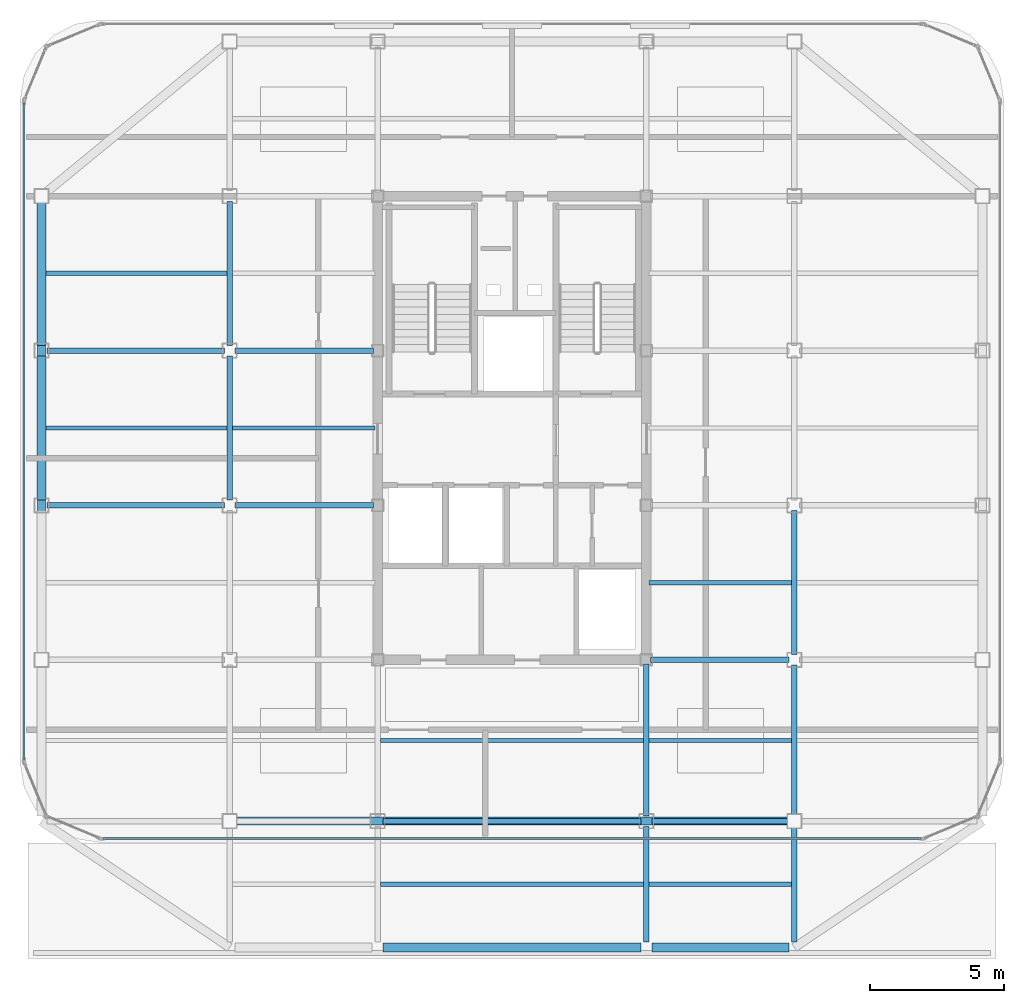
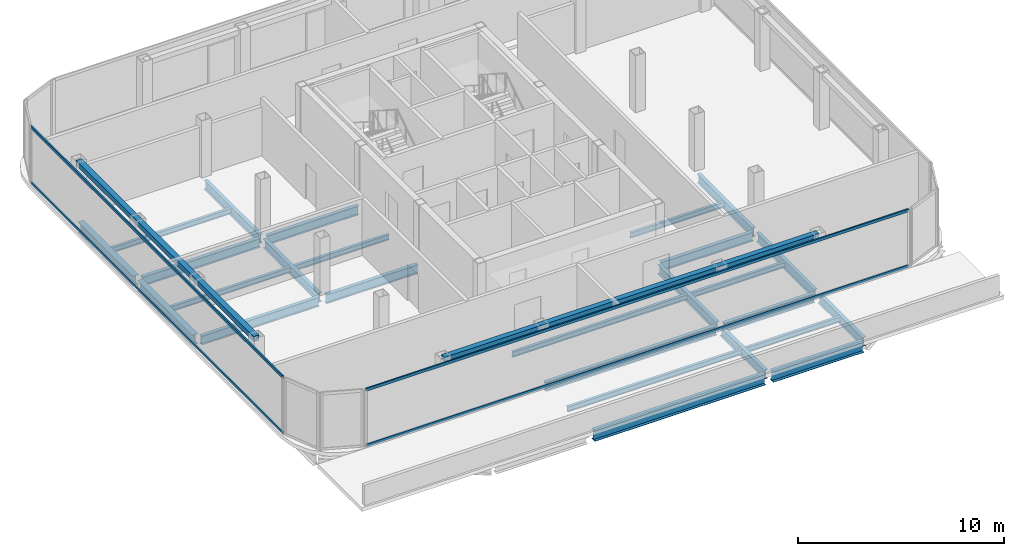
# One storey, part 3 of 15: 26 beams, 6 members, 2 elements without a shape of their own.
"""IFC4 building model written with IfcOpenShell, lengths in metres."""

from ifc_helpers import new_model, si_unit, direction, frame, origin, origin_2d, place, context, subcontext, project, spatial, hollow_rectangle, i_section, extrude, source, transform, mapped, material, layer, layer_set, material_profile, profile_set, type_object, element, aggregate, save


model = new_model("IFC4")

# Units and contexts
model_context = context("Model", 3, precision=1e-05, world=origin(), true_north=direction((0.0, 1.0)))
body_context = subcontext(model_context, "Body", "Model", "MODEL_VIEW")
ifc_project = project(units=[si_unit("LENGTHUNIT", "METRE"), si_unit("AREAUNIT", "SQUARE_METRE"), si_unit("VOLUMEUNIT", "CUBIC_METRE"), si_unit("PLANEANGLEUNIT", "RADIAN"), si_unit("MASSUNIT", "GRAM", prefix="KILO")], contexts=[model_context])

# Site, building, storey
site_placement = place(None, origin())
site = spatial("IfcSite", under=ifc_project, at=site_placement, CompositionType="ELEMENT")
building_placement = place(site_placement, origin())
building = spatial("IfcBuilding", under=site, at=building_placement, Name="Kolveth Station Tower", CompositionType="ELEMENT")
storey_placement = place(building_placement, frame((0.0, 0.0, 271.300048828125)))
storey = spatial("IfcBuildingStorey", under=building, at=storey_placement, Name="L78", CompositionType="ELEMENT", Elevation=271.300048828125)

# Beams
ifc_material_1 = material(Name="Steel S355", Category="steel")
ifc_material_profile_1 = material_profile(ifc_material_1, i_section(OverallWidth=0.323974609375, OverallDepth=0.611083984375, WebThickness=0.0126953125, FlangeThickness=0.01904296875, at=origin_2d()), Name="W610x155")
ifc_profile_set_1 = profile_set([ifc_material_profile_1], Name="Steel S355")
beam_type_1 = type_object("IfcBeamType", Name="Beam_SP2", PredefinedType="SPANDREL", material=ifc_profile_set_1)
shared_shape_1 = source(origin(), body_context, "Body", "SweptSolid", [
    extrude(i_section(OverallWidth=0.323974609375, OverallDepth=0.611083984375, WebThickness=0.0126953125, FlangeThickness=0.01904296875, at=origin_2d()), origin(), (0.0, 0.0, 1.0), 5.10009765625),
])
beam_1_placement = place(storey_placement, frame((28.699951171875, 0.800048828125, -0.525634765625), z_axis=(1.0, 0.0, 0.0), x_axis=(0.0, 1.0, 0.0)))
element("IfcBeam", 1, at=beam_1_placement, inside=storey, type_object=beam_type_1, Name="L78 Perimeter Spandrel BM-L78-PS-3", PredefinedType="SPANDREL", context=body_context, shape_type="MappedRepresentation", body=[
    mapped(shared_shape_1, transform((0.0, 0.0, 0.0), x_axis=(1.0, 0.0, 0.0), y_axis=(0.0, 1.0, 0.0), z_axis=(0.0, 0.0, 1.0), scale=1.0)),
])
shared_shape_2 = source(origin(), body_context, "Body", "SweptSolid", [
    extrude(i_section(OverallWidth=0.323974609375, OverallDepth=0.611083984375, WebThickness=0.0126953125, FlangeThickness=0.01904296875, at=origin_2d()), origin(), (0.0, 0.0, 1.0), 9.60009765625),
])
beam_2_placement = place(storey_placement, frame((18.699951171875, 0.800048828125, -0.525634765625), z_axis=(1.0, 0.0, 0.0), x_axis=(0.0, 1.0, 0.0)))
element("IfcBeam", 2, at=beam_2_placement, inside=storey, type_object=beam_type_1, Name="L78 Perimeter Spandrel BM-L78-PS-2", PredefinedType="SPANDREL", context=body_context, shape_type="MappedRepresentation", body=[
    mapped(shared_shape_2, transform((0.0, 0.0, 0.0), x_axis=(1.0, 0.0, 0.0), y_axis=(0.0, 1.0, 0.0), z_axis=(0.0, 0.0, 1.0), scale=1.0)),
])
shared_shape_3 = source(origin(), body_context, "Body", "SweptSolid", [
    extrude(i_section(OverallWidth=0.323974609375, OverallDepth=0.611083984375, WebThickness=0.0126953125, FlangeThickness=0.01904296875, at=origin_2d()), origin(), (0.0, 0.0, 1.0), 5.35009765625),
])
for number, where, z_axis, x_axis, name in (
    (3, (6.0, 17.449951171875, -0.525634765625), (0.0, 1.0, 0.0), (-1.0, 0.0, 0.0), "L78 Perimeter Spandrel BM-L78-PW-3"),
    (4, (6.0, 23.199951171875, -0.525634765625), (0.0, 1.0, 0.0), (-1.0, 0.0, 0.0), "L78 Perimeter Spandrel BM-L78-PW-4"),
):
    element("IfcBeam", number, at=place(storey_placement, frame(where, z_axis=z_axis, x_axis=x_axis)), inside=storey, type_object=beam_type_1, Name=name, PredefinedType="SPANDREL", context=body_context, shape_type="MappedRepresentation", body=[
        mapped(shared_shape_3, transform((0.0, 0.0, 0.0), x_axis=(1.0, 0.0, 0.0), y_axis=(0.0, 1.0, 0.0), z_axis=(0.0, 0.0, 1.0), scale=1.0)),
    ])
ifc_material_profile_2 = material_profile(ifc_material_1, i_section(OverallWidth=0.2099609375, OverallDepth=0.537109375, WebThickness=0.010986328125, FlangeThickness=0.017333984375, at=origin_2d()), Name="W530x101")
ifc_profile_set_2 = profile_set([ifc_material_profile_2], Name="Steel S355")
beam_type_2 = type_object("IfcBeamType", Name="Beam_B6", PredefinedType="BEAM", material=ifc_profile_set_2)
shared_shape_4 = source(origin(), body_context, "Body", "SweptSolid", [
    extrude(i_section(OverallWidth=0.2099609375, OverallDepth=0.537109375, WebThickness=0.010986328125, FlangeThickness=0.017333984375, at=origin_2d()), origin(), (0.0, 0.0, 1.0), 6.60009765625),
])
for number, where, z_axis, x_axis, name in (
    (5, (6.199951171875, 17.25, -0.488525390625), (1.0, 0.0, 0.0), (0.0, 1.0, 0.0), "L78 Primary Girder BM-L78-GY172-1"),
    (6, (6.199951171875, 23.0, -0.488525390625), (1.0, 0.0, 0.0), (0.0, 1.0, 0.0), "L78 Primary Girder BM-L78-GY230-1"),
):
    element("IfcBeam", number, at=place(storey_placement, frame(where, z_axis=z_axis, x_axis=x_axis)), inside=storey, type_object=beam_type_2, Name=name, PredefinedType="BEAM", context=body_context, shape_type="MappedRepresentation", body=[
        mapped(shared_shape_4, transform((0.0, 0.0, 0.0), x_axis=(1.0, 0.0, 0.0), y_axis=(0.0, 1.0, 0.0), z_axis=(0.0, 0.0, 1.0), scale=1.0)),
    ])
shared_shape_5 = source(origin(), body_context, "Body", "SweptSolid", [
    extrude(i_section(OverallWidth=0.2099609375, OverallDepth=0.537109375, WebThickness=0.010986328125, FlangeThickness=0.017333984375, at=origin_2d()), origin(), (0.0, 0.0, 1.0), 5.10009765625),
])
beam_3_placement = place(storey_placement, frame((28.699951171875, 5.5, -0.488525390625), z_axis=(1.0, 0.0, 0.0), x_axis=(0.0, 1.0, 0.0)))
element("IfcBeam", 7, at=beam_3_placement, inside=storey, type_object=beam_type_2, Name="L78 Primary Girder BM-L78-GY55-4", PredefinedType="BEAM", context=body_context, shape_type="MappedRepresentation", body=[
    mapped(shared_shape_5, transform((0.0, 0.0, 0.0), x_axis=(1.0, 0.0, 0.0), y_axis=(0.0, 1.0, 0.0), z_axis=(0.0, 0.0, 1.0), scale=1.0)),
])
shared_shape_6 = source(origin(), body_context, "Body", "SweptSolid", [
    extrude(i_section(OverallWidth=0.2099609375, OverallDepth=0.537109375, WebThickness=0.010986328125, FlangeThickness=0.017333984375, at=origin_2d()), origin(), (0.0, 0.0, 1.0), 9.60009765625),
])
beam_4_placement = place(storey_placement, frame((18.699951171875, 5.5, -0.488525390625), z_axis=(1.0, 0.0, 0.0), x_axis=(0.0, 1.0, 0.0)))
element("IfcBeam", 8, at=beam_4_placement, inside=storey, type_object=beam_type_2, Name="L78 Primary Girder BM-L78-GY55-3", PredefinedType="BEAM", context=body_context, shape_type="MappedRepresentation", body=[
    mapped(shared_shape_6, transform((0.0, 0.0, 0.0), x_axis=(1.0, 0.0, 0.0), y_axis=(0.0, 1.0, 0.0), z_axis=(0.0, 0.0, 1.0), scale=1.0)),
])
shared_shape_7 = source(origin(), body_context, "Body", "SweptSolid", [
    extrude(i_section(OverallWidth=0.2099609375, OverallDepth=0.537109375, WebThickness=0.010986328125, FlangeThickness=0.017333984375, at=origin_2d()), origin(), (0.0, 0.0, 1.0), 5.14013671875),
])
for number, where, z_axis, x_axis, name in (
    (9, (28.659912109375, 11.5, -0.488525390625), (1.0, 0.0, 0.0), (0.0, 1.0, 0.0), "L78 Primary Girder BM-L78-GY115-4"),
    (10, (13.199951171875, 17.25, -0.488525390625), (1.0, 0.0, 0.0), (0.0, 1.0, 0.0), "L78 Primary Girder BM-L78-GY172-2"),
    (11, (13.199951171875, 23.0, -0.488525390625), (1.0, 0.0, 0.0), (0.0, 1.0, 0.0), "L78 Primary Girder BM-L78-GY230-2"),
):
    element("IfcBeam", number, at=place(storey_placement, frame(where, z_axis=z_axis, x_axis=x_axis)), inside=storey, type_object=beam_type_2, Name=name, PredefinedType="BEAM", context=body_context, shape_type="MappedRepresentation", body=[
        mapped(shared_shape_7, transform((0.0, 0.0, 0.0), x_axis=(1.0, 0.0, 0.0), y_axis=(0.0, 1.0, 0.0), z_axis=(0.0, 0.0, 1.0), scale=1.0)),
    ])
shared_shape_8 = source(origin(), body_context, "Body", "SweptSolid", [
    extrude(i_section(OverallWidth=0.2099609375, OverallDepth=0.537109375, WebThickness=0.010986328125, FlangeThickness=0.017333984375, at=origin_2d()), origin(), (0.0, 0.0, 1.0), 4.300048828125),
])
for number, where, z_axis, x_axis, name in (
    (12, (28.5, 1.0, -0.488525390625), (0.0, 1.0, 0.0), (-1.0, 0.0, 0.0), "L78 Primary Girder BM-L78-GX285-1"),
    (13, (34.0, 1.0, -0.488525390625), (0.0, 1.0, 0.0), (-1.0, 0.0, 0.0), "L78 Primary Girder BM-L78-GX340-1"),
):
    element("IfcBeam", number, at=place(storey_placement, frame(where, z_axis=z_axis, x_axis=x_axis)), inside=storey, type_object=beam_type_2, Name=name, PredefinedType="BEAM", context=body_context, shape_type="MappedRepresentation", body=[
        mapped(shared_shape_8, transform((0.0, 0.0, 0.0), x_axis=(1.0, 0.0, 0.0), y_axis=(0.0, 1.0, 0.0), z_axis=(0.0, 0.0, 1.0), scale=1.0)),
    ])
shared_shape_9 = source(origin(), body_context, "Body", "SweptSolid", [
    extrude(i_section(OverallWidth=0.2099609375, OverallDepth=0.537109375, WebThickness=0.010986328125, FlangeThickness=0.017333984375, at=origin_2d()), origin(), (0.0, 0.0, 1.0), 5.60009765625),
])
beam_5_placement = place(storey_placement, frame((34.0, 5.699951171875, -0.488525390625), z_axis=(0.0, 1.0, 0.0), x_axis=(-1.0, 0.0, 0.0)))
element("IfcBeam", 14, at=beam_5_placement, inside=storey, type_object=beam_type_2, Name="L78 Primary Girder BM-L78-GX340-2", PredefinedType="BEAM", context=body_context, shape_type="MappedRepresentation", body=[
    mapped(shared_shape_9, transform((0.0, 0.0, 0.0), x_axis=(1.0, 0.0, 0.0), y_axis=(0.0, 1.0, 0.0), z_axis=(0.0, 0.0, 1.0), scale=1.0)),
])
shared_shape_10 = source(origin(), body_context, "Body", "SweptSolid", [
    extrude(i_section(OverallWidth=0.2099609375, OverallDepth=0.537109375, WebThickness=0.010986328125, FlangeThickness=0.017333984375, at=origin_2d()), origin(), (0.0, 0.0, 1.0), 5.35009765625),
])
for number, where, z_axis, x_axis, name in (
    (15, (13.0, 17.449951171875, -0.488525390625), (0.0, 1.0, 0.0), (-1.0, 0.0, 0.0), "L78 Primary Girder BM-L78-GX130-4"),
    (16, (13.0, 23.199951171875, -0.488525390625), (0.0, 1.0, 0.0), (-1.0, 0.0, 0.0), "L78 Primary Girder BM-L78-GX130-5"),
    (17, (34.0, 11.699951171875, -0.488525390625), (0.0, 1.0, 0.0), (-1.0, 0.0, 0.0), "L78 Primary Girder BM-L78-GX340-3"),
):
    element("IfcBeam", number, at=place(storey_placement, frame(where, z_axis=z_axis, x_axis=x_axis)), inside=storey, type_object=beam_type_2, Name=name, PredefinedType="BEAM", context=body_context, shape_type="MappedRepresentation", body=[
        mapped(shared_shape_10, transform((0.0, 0.0, 0.0), x_axis=(1.0, 0.0, 0.0), y_axis=(0.0, 1.0, 0.0), z_axis=(0.0, 0.0, 1.0), scale=1.0)),
    ])
shared_shape_11 = source(origin(), body_context, "Body", "SweptSolid", [
    extrude(i_section(OverallWidth=0.2099609375, OverallDepth=0.537109375, WebThickness=0.010986328125, FlangeThickness=0.017333984375, at=origin_2d()), origin(), (0.0, 0.0, 1.0), 5.64013671875),
])
beam_6_placement = place(storey_placement, frame((28.5, 5.699951171875, -0.488525390625), z_axis=(0.0, 1.0, 0.0), x_axis=(-1.0, 0.0, 0.0)))
element("IfcBeam", 18, at=beam_6_placement, inside=storey, type_object=beam_type_2, Name="L78 Primary Girder BM-L78-GX285-2", PredefinedType="BEAM", context=body_context, shape_type="MappedRepresentation", body=[
    mapped(shared_shape_11, transform((0.0, 0.0, 0.0), x_axis=(1.0, 0.0, 0.0), y_axis=(0.0, 1.0, 0.0), z_axis=(0.0, 0.0, 1.0), scale=1.0)),
])
ifc_material_profile_3 = material_profile(ifc_material_1, i_section(OverallWidth=0.1650390625, OverallDepth=0.31005859375, WebThickness=0.005859375, FlangeThickness=0.009765625, at=origin_2d()), Name="W310x39")
ifc_profile_set_3 = profile_set([ifc_material_profile_3], Name="Steel S355")
beam_type_3 = type_object("IfcBeamType", Name="Beam_J3", PredefinedType="JOIST", material=ifc_profile_set_3)
shared_shape_12 = source(origin(), body_context, "Body", "SweptSolid", [
    extrude(i_section(OverallWidth=0.1650390625, OverallDepth=0.31005859375, WebThickness=0.005859375, FlangeThickness=0.009765625, at=origin_2d()), origin(), (0.0, 0.0, 1.0), 6.737060546875),
])
for number, where, z_axis, x_axis, name in (
    (19, (6.159912109375, 20.125, -0.375), (1.0, 0.0, 0.0), (0.0, 1.0, 0.0), "L78 Secondary Joist JST-L78-1-4"),
    (20, (6.159912109375, 25.875, -0.375), (1.0, 0.0, 0.0), (0.0, 1.0, 0.0), "L78 Secondary Joist JST-L78-1-5"),
):
    element("IfcBeam", number, at=place(storey_placement, frame(where, z_axis=z_axis, x_axis=x_axis)), inside=storey, type_object=beam_type_3, Name=name, PredefinedType="JOIST", context=body_context, shape_type="MappedRepresentation", body=[
        mapped(shared_shape_12, transform((0.0, 0.0, 0.0), x_axis=(1.0, 0.0, 0.0), y_axis=(0.0, 1.0, 0.0), z_axis=(0.0, 0.0, 1.0), scale=1.0)),
    ])
shared_shape_13 = source(origin(), body_context, "Body", "SweptSolid", [
    extrude(i_section(OverallWidth=0.1650390625, OverallDepth=0.31005859375, WebThickness=0.005859375, FlangeThickness=0.009765625, at=origin_2d()), origin(), (0.0, 0.0, 1.0), 5.2939453125),
])
for number, where, z_axis, x_axis, name in (
    (21, (13.10302734375, 20.125, -0.375), (1.0, 0.0, 0.0), (0.0, 1.0, 0.0), "L78 Secondary Joist JST-L78-2-4"),
    (22, (28.60302734375, 3.14990234375, -0.375), (1.0, 0.0, 0.0), (0.0, 1.0, 0.0), "L78 Secondary Joist JST-L78-4-1"),
    (23, (28.60302734375, 8.5, -0.375), (1.0, 0.0, 0.0), (0.0, 1.0, 0.0), "L78 Secondary Joist JST-L78-4-2"),
    (24, (28.60302734375, 14.375, -0.375), (1.0, 0.0, 0.0), (0.0, 1.0, 0.0), "L78 Secondary Joist JST-L78-4-3"),
):
    element("IfcBeam", number, at=place(storey_placement, frame(where, z_axis=z_axis, x_axis=x_axis)), inside=storey, type_object=beam_type_3, Name=name, PredefinedType="JOIST", context=body_context, shape_type="MappedRepresentation", body=[
        mapped(shared_shape_13, transform((0.0, 0.0, 0.0), x_axis=(1.0, 0.0, 0.0), y_axis=(0.0, 1.0, 0.0), z_axis=(0.0, 0.0, 1.0), scale=1.0)),
    ])
shared_shape_14 = source(origin(), body_context, "Body", "SweptSolid", [
    extrude(i_section(OverallWidth=0.1650390625, OverallDepth=0.31005859375, WebThickness=0.005859375, FlangeThickness=0.009765625, at=origin_2d()), origin(), (0.0, 0.0, 1.0), 9.7939453125),
])
for number, where, z_axis, x_axis, name in (
    (25, (18.60302734375, 3.14990234375, -0.375), (1.0, 0.0, 0.0), (0.0, 1.0, 0.0), "L78 Secondary Joist JST-L78-3-1"),
    (26, (18.60302734375, 8.5, -0.375), (1.0, 0.0, 0.0), (0.0, 1.0, 0.0), "L78 Secondary Joist JST-L78-3-2"),
):
    element("IfcBeam", number, at=place(storey_placement, frame(where, z_axis=z_axis, x_axis=x_axis)), inside=storey, type_object=beam_type_3, Name=name, PredefinedType="JOIST", context=body_context, shape_type="MappedRepresentation", body=[
        mapped(shared_shape_14, transform((0.0, 0.0, 0.0), x_axis=(1.0, 0.0, 0.0), y_axis=(0.0, 1.0, 0.0), z_axis=(0.0, 0.0, 1.0), scale=1.0)),
    ])

# Members
ifc_material_profile_4 = material_profile(ifc_material_1, hollow_rectangle(XDim=0.300048828125, YDim=0.300048828125, WallThickness=0.01611328125, at=origin_2d()), Name="CROWN-HSS300x300x16")
ifc_profile_set_4 = profile_set([ifc_material_profile_4], Name="Steel S355")
member_type_1 = type_object("IfcMemberType", Name="Mem_CF1", PredefinedType="CHORD", material=ifc_profile_set_4)
shared_shape_15 = source(origin(), body_context, "Body", "SweptSolid", [
    extrude(hollow_rectangle(XDim=0.300048828125, YDim=0.300048828125, WallThickness=0.01611328125, at=origin_2d()), origin(), (0.0, 0.0, 1.0), 21.0),
])
member_1_placement = place(storey_placement, frame((13.0, 5.5, 3.14990234375), z_axis=(1.0, 0.0, 0.0), x_axis=(0.0, 1.0, 0.0)))
element("IfcMember", 27, at=member_1_placement, inside=storey, type_object=member_type_1, Name="L78 Crown Frame Ring Chord 1", PredefinedType="CHORD", context=body_context, shape_type="MappedRepresentation", body=[
    mapped(shared_shape_15, transform((0.0, 0.0, 0.0), x_axis=(1.0, 0.0, 0.0), y_axis=(0.0, 1.0, 0.0), z_axis=(0.0, 0.0, 1.0), scale=1.0)),
])
shared_shape_16 = source(origin(), body_context, "Body", "SweptSolid", [
    extrude(hollow_rectangle(XDim=0.300048828125, YDim=0.300048828125, WallThickness=0.01611328125, at=origin_2d()), origin(), (0.0, 0.0, 1.0), 17.25),
])
member_2_placement = place(storey_placement, frame((6.0, 11.5, 3.14990234375), z_axis=(0.0, 1.0, 0.0), x_axis=(-1.0, 0.0, 0.0)))
element("IfcMember", 28, at=member_2_placement, inside=storey, type_object=member_type_1, Name="L78 Crown Frame Ring Chord 3", PredefinedType="CHORD", context=body_context, shape_type="MappedRepresentation", body=[
    mapped(shared_shape_16, transform((0.0, 0.0, 0.0), x_axis=(1.0, 0.0, 0.0), y_axis=(0.0, 1.0, 0.0), z_axis=(0.0, 0.0, 1.0), scale=1.0)),
])

# Curtain wall, members
ifc_material_2 = material(Name="Black anodized aluminium 6063-T6 and dark crown glass", Category="aluminium")
ifc_layer = layer(ifc_material_2, 0.169921875)
ifc_layer_set = layer_set([ifc_layer], Name="Black anodized aluminium 6063-T6 and dark crown glass")
curtain_wall_type = type_object("IfcCurtainWallType", Name="CurtainWall_CW-CR", PredefinedType="NOTDEFINED", material=ifc_layer_set)
curtain_wall_1_placement = place(storey_placement, origin())
curtain_wall_1 = element("IfcCurtainWall", 29, at=curtain_wall_1_placement, inside=storey, type_object=curtain_wall_type, Name="L78 Stepped Crown Curtain Wall 9", PredefinedType="NOTDEFINED")
ifc_material_3 = material(Name="Black anodized aluminium 6063-T6", Category="aluminium")
ifc_material_profile_5 = material_profile(ifc_material_3, hollow_rectangle(XDim=0.080078125, YDim=0.1650390625, WallThickness=0.0048828125, at=origin_2d()), Name="ALU-80x165x5")
ifc_profile_set_5 = profile_set([ifc_material_profile_5], Name="Black anodized aluminium 6063-T6")
member_type_2 = type_object("IfcMemberType", Name="Transom_TR-CR", PredefinedType="USERDEFINED", material=ifc_profile_set_5)
shared_shape_17 = source(origin(), body_context, "Body", "SweptSolid", [
    extrude(hollow_rectangle(XDim=0.080078125, YDim=0.1650390625, WallThickness=0.0048828125, at=origin_2d()), origin(), (0.0, 0.0, 1.0), 24.43017578125),
])
member_3_placement = place(storey_placement, frame((5.35009765625, 32.215087890625, 0.0400390625), z_axis=(0.0, -1.0, 0.0), x_axis=(1.0, 0.0, 0.0)))
member_3 = element("IfcMember", 30, at=member_3_placement, type_object=member_type_2, Name="CW-CR transom 1.1", ObjectType="TRANSOM", PredefinedType="USERDEFINED", context=body_context, shape_type="MappedRepresentation", body=[
    mapped(shared_shape_17, transform((0.0, 0.0, 0.0), x_axis=(1.0, 0.0, 0.0), y_axis=(0.0, 1.0, 0.0), z_axis=(0.0, 0.0, 1.0), scale=1.0)),
])
member_4_placement = place(storey_placement, frame((5.35009765625, 32.215087890625, 3.33984375), z_axis=(0.0, -1.0, 0.0), x_axis=(1.0, 0.0, 0.0)))
member_4 = element("IfcMember", 31, at=member_4_placement, type_object=member_type_2, Name="CW-CR transom 1.2", ObjectType="TRANSOM", PredefinedType="USERDEFINED", context=body_context, shape_type="MappedRepresentation", body=[
    mapped(shared_shape_17, transform((0.0, 0.0, 0.0), x_axis=(1.0, 0.0, 0.0), y_axis=(0.0, 1.0, 0.0), z_axis=(0.0, 0.0, 1.0), scale=1.0)),
])
aggregate(curtain_wall_1, [member_3, member_4])

curtain_wall_2_placement = place(storey_placement, origin())
curtain_wall_2 = element("IfcCurtainWall", 32, at=curtain_wall_2_placement, inside=storey, type_object=curtain_wall_type, Name="L78 Stepped Crown Curtain Wall 12", PredefinedType="NOTDEFINED")
shared_shape_18 = source(origin(), body_context, "Body", "SweptSolid", [
    extrude(hollow_rectangle(XDim=0.080078125, YDim=0.1650390625, WallThickness=0.0048828125, at=origin_2d()), origin(), (0.0, 0.0, 1.0), 30.43017578125),
])
member_5_placement = place(storey_placement, frame((8.284912109375, 4.85009765625, 0.0400390625), z_axis=(1.0, 0.0, 0.0), x_axis=(0.0, 1.0, 0.0)))
member_5 = element("IfcMember", 33, at=member_5_placement, type_object=member_type_2, Name="CW-CR transom 1.1", ObjectType="TRANSOM", PredefinedType="USERDEFINED", context=body_context, shape_type="MappedRepresentation", body=[
    mapped(shared_shape_18, transform((0.0, 0.0, 0.0), x_axis=(1.0, 0.0, 0.0), y_axis=(0.0, 1.0, 0.0), z_axis=(0.0, 0.0, 1.0), scale=1.0)),
])
member_6_placement = place(storey_placement, frame((8.284912109375, 4.85009765625, 3.33984375), z_axis=(1.0, 0.0, 0.0), x_axis=(0.0, 1.0, 0.0)))
member_6 = element("IfcMember", 34, at=member_6_placement, type_object=member_type_2, Name="CW-CR transom 1.2", ObjectType="TRANSOM", PredefinedType="USERDEFINED", context=body_context, shape_type="MappedRepresentation", body=[
    mapped(shared_shape_18, transform((0.0, 0.0, 0.0), x_axis=(1.0, 0.0, 0.0), y_axis=(0.0, 1.0, 0.0), z_axis=(0.0, 0.0, 1.0), scale=1.0)),
])
aggregate(curtain_wall_2, [member_5, member_6])

save(model, "model.ifc")
